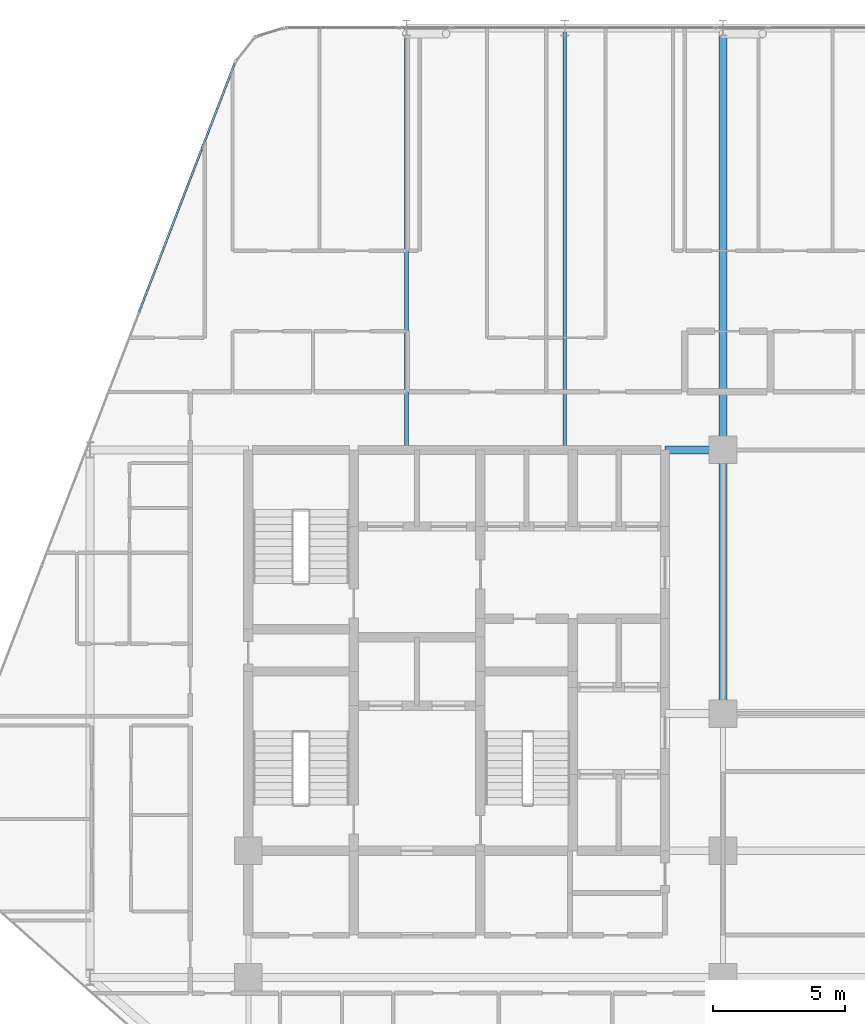
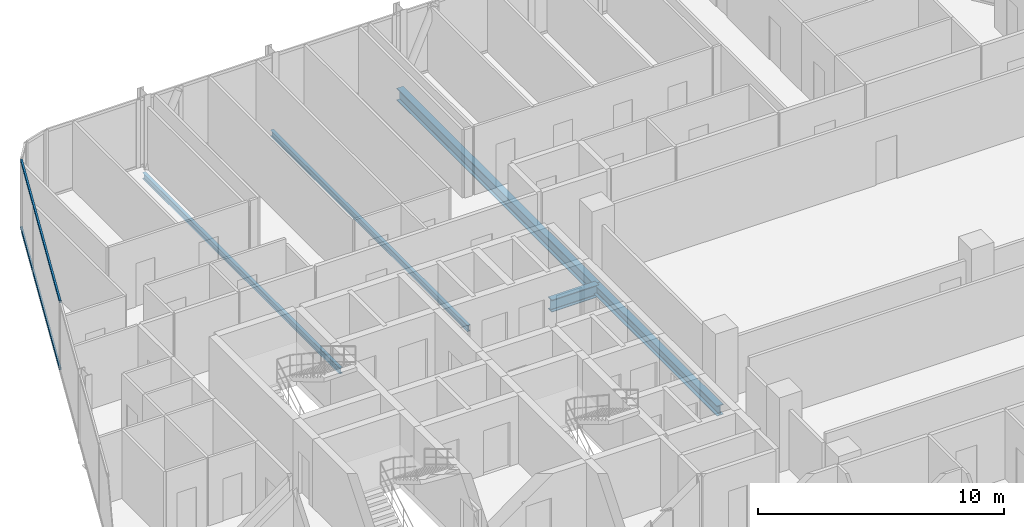
# One storey, part 15 of 30: 5 beams, 2 members, 1 element without a shape of its own.
"""IFC4 building model written with IfcOpenShell, lengths in metres."""

from ifc_helpers import new_model, si_unit, direction, frame, origin, origin_2d, place, context, subcontext, project, spatial, hollow_rectangle, i_section, extrude, material, layer, layer_set, material_profile, profile_set, type_object, element, aggregate, save


model = new_model("IFC4")

# Units and contexts
model_context = context("Model", 3, precision=1e-05, world=origin(), true_north=direction((0.0, 1.0)))
body_context = subcontext(model_context, "Body", "Model", "MODEL_VIEW")
ifc_project = project(units=[si_unit("LENGTHUNIT", "METRE"), si_unit("AREAUNIT", "SQUARE_METRE"), si_unit("VOLUMEUNIT", "CUBIC_METRE"), si_unit("PLANEANGLEUNIT", "RADIAN"), si_unit("MASSUNIT", "GRAM", prefix="KILO")], contexts=[model_context])

# Site, building, storey
site_placement = place(None, origin())
site = spatial("IfcSite", under=ifc_project, at=site_placement, CompositionType="ELEMENT")
building_placement = place(site_placement, origin())
building = spatial("IfcBuilding", under=site, at=building_placement, Name="Keshet Zoharim Tower", CompositionType="ELEMENT")
storey_placement = place(building_placement, frame((0.0, 0.0, 113.10009765625)))
storey = spatial("IfcBuildingStorey", under=building, at=storey_placement, Name="L27", CompositionType="ELEMENT", Elevation=113.10009765625)

# Beams
ifc_material_1 = material(Name="Steel S355", Category="steel")
ifc_material_profile_1 = material_profile(ifc_material_1, i_section(OverallWidth=0.300048828125, OverallDepth=0.60009765625, WebThickness=0.015380859375, FlangeThickness=0.030029296875, FilletRadius=0.027099609375, at=origin_2d()), Name="HEB600")
ifc_profile_set_1 = profile_set([ifc_material_profile_1], Name="Steel S355")
beam_type_1 = type_object("IfcBeamType", Name="BM-CLK-HB600", PredefinedType="BEAM", material=ifc_profile_set_1)
beam_1_placement = place(storey_placement, frame((30.800048828125, 37.89990234375, -0.614990234375), z_axis=(1.0, 0.0, 0.0), x_axis=(0.0, 1.0, 0.0)))
element("IfcBeam", 1, at=beam_1_placement, inside=storey, type_object=beam_type_1, Name="L27 Core Wall Link Girder 03", PredefinedType="BEAM", context=body_context, shape_type="SweptSolid", body=[
    extrude(i_section(OverallWidth=0.300048828125, OverallDepth=0.60009765625, WebThickness=0.015380859375, FlangeThickness=0.030029296875, FilletRadius=0.027099609375, at=origin_2d()), origin(), (0.0, 0.0, 1.0), 2.199951171875),
])
ifc_material_profile_2 = material_profile(ifc_material_1, i_section(OverallWidth=0.14990234375, OverallDepth=0.300048828125, WebThickness=0.007080078125, FlangeThickness=0.0107421875, FilletRadius=0.014892578125, at=origin_2d()), Name="IPE300")
ifc_profile_set_2 = profile_set([ifc_material_profile_2], Name="Steel S355")
beam_type_2 = type_object("IfcBeamType", Name="BM-JST-IP300", PredefinedType="JOIST", material=ifc_profile_set_2)
for number, where, z_axis, x_axis, name in (
    (2, (21.0, 37.89990234375, -0.465087890625), (0.0, 1.0, 0.0), (-1.0, 0.0, 0.0), "L27 Secondary Floor Joist J-001"),
    (3, (27.0, 37.89990234375, -0.465087890625), (0.0, 1.0, 0.0), (-1.0, 0.0, 0.0), "L27 Secondary Floor Joist J-002"),
):
    element("IfcBeam", number, at=place(storey_placement, frame(where, z_axis=z_axis, x_axis=x_axis)), inside=storey, type_object=beam_type_2, Name=name, PredefinedType="JOIST", context=body_context, shape_type="SweptSolid", body=[
        extrude(i_section(OverallWidth=0.14990234375, OverallDepth=0.300048828125, WebThickness=0.007080078125, FlangeThickness=0.0107421875, FilletRadius=0.014892578125, at=origin_2d()), origin(), (0.0, 0.0, 1.0), 16.0),
    ])
ifc_material_profile_3 = material_profile(ifc_material_1, i_section(OverallWidth=0.300048828125, OverallDepth=0.60009765625, WebThickness=0.015380859375, FlangeThickness=0.030029296875, FilletRadius=0.027099609375, at=origin_2d()), Name="HEB600")
ifc_profile_set_3 = profile_set([ifc_material_profile_3], Name="Steel S355")
beam_type_3 = type_object("IfcBeamType", Name="BM-LNG-HB600", PredefinedType="BEAM", material=ifc_profile_set_3)
beam_2_placement = place(storey_placement, frame((33.0, 37.89990234375, -0.614990234375), z_axis=(0.0, 1.0, 0.0), x_axis=(-1.0, 0.0, 0.0)))
element("IfcBeam", 4, at=beam_2_placement, inside=storey, type_object=beam_type_3, Name="L27 Primary Girder Y-011", PredefinedType="BEAM", context=body_context, shape_type="SweptSolid", body=[
    extrude(i_section(OverallWidth=0.300048828125, OverallDepth=0.60009765625, WebThickness=0.015380859375, FlangeThickness=0.030029296875, FilletRadius=0.027099609375, at=origin_2d()), origin(), (0.0, 0.0, 1.0), 16.0),
])
ifc_material_profile_4 = material_profile(ifc_material_1, i_section(OverallWidth=0.300048828125, OverallDepth=0.5, WebThickness=0.014404296875, FlangeThickness=0.028076171875, FilletRadius=0.027099609375, at=origin_2d()), Name="HEB500")
ifc_profile_set_4 = profile_set([ifc_material_profile_4], Name="Steel S355")
beam_type_4 = type_object("IfcBeamType", Name="BM-MED-HB500", PredefinedType="BEAM", material=ifc_profile_set_4)
beam_3_placement = place(storey_placement, frame((33.0, 27.89990234375, -0.565185546875), z_axis=(0.0, 1.0, 0.0), x_axis=(-1.0, 0.0, 0.0)))
element("IfcBeam", 5, at=beam_3_placement, inside=storey, type_object=beam_type_4, Name="L27 Primary Girder Y-010", PredefinedType="BEAM", context=body_context, shape_type="SweptSolid", body=[
    extrude(i_section(OverallWidth=0.300048828125, OverallDepth=0.5, WebThickness=0.014404296875, FlangeThickness=0.028076171875, FilletRadius=0.027099609375, at=origin_2d()), origin(), (0.0, 0.0, 1.0), 10.0),
])

# Curtain wall, members
ifc_material_2 = material(Name="Aluminium 6063-T6", Category="aluminium")
ifc_layer = layer(ifc_material_2, 0.159912109375)
ifc_layer_set = layer_set([ifc_layer], Name="Aluminium 6063-T6")
curtain_wall_type = type_object("IfcCurtainWallType", Name="CW-SYS-03", PredefinedType="NOTDEFINED", material=ifc_layer_set)
curtain_wall_placement = place(storey_placement, origin())
curtain_wall = element("IfcCurtainWall", 6, at=curtain_wall_placement, inside=storey, type_object=curtain_wall_type, Name="L27 Unitised Curtain Wall 10", PredefinedType="NOTDEFINED")
ifc_material_profile_5 = material_profile(ifc_material_2, hollow_rectangle(XDim=0.080078125, YDim=0.139892578125, WallThickness=0.00390625, at=origin_2d()), Name="TRN-80x140")
ifc_profile_set_5 = profile_set([ifc_material_profile_5], Name="Aluminium 6063-T6")
member_type = type_object("IfcMemberType", Name="CWT-T14", PredefinedType="USERDEFINED", material=ifc_profile_set_5)
member_1_placement = place(storey_placement, frame((10.849609375, 43.10888671875, 0.034912109375), z_axis=(0.358985546764, 0.933343118694, 0.0), x_axis=(-0.933343118694, 0.358985546764, 0.0)))
member_1 = element("IfcMember", 7, at=member_1_placement, type_object=member_type, Name="CW-03 transom 3.1", ObjectType="TRANSOM", PredefinedType="USERDEFINED", context=body_context, shape_type="SweptSolid", body=[
    extrude(hollow_rectangle(XDim=0.080078125, YDim=0.139892578125, WallThickness=0.00390625, at=origin_2d()), origin(), (0.0, 0.0, 1.0), 10.118408203125),
])
member_2_placement = place(storey_placement, frame((10.849609375, 43.10888671875, 3.349853515625), z_axis=(0.358985546764, 0.933343118694, 0.0), x_axis=(-0.933343118694, 0.358985546764, 0.0)))
member_2 = element("IfcMember", 8, at=member_2_placement, type_object=member_type, Name="CW-03 transom 3.2", ObjectType="TRANSOM", PredefinedType="USERDEFINED", context=body_context, shape_type="SweptSolid", body=[
    extrude(hollow_rectangle(XDim=0.080078125, YDim=0.139892578125, WallThickness=0.00390625, at=origin_2d()), origin(), (0.0, 0.0, 1.0), 10.118408203125),
])
aggregate(curtain_wall, [member_1, member_2])

save(model, "model.ifc")
